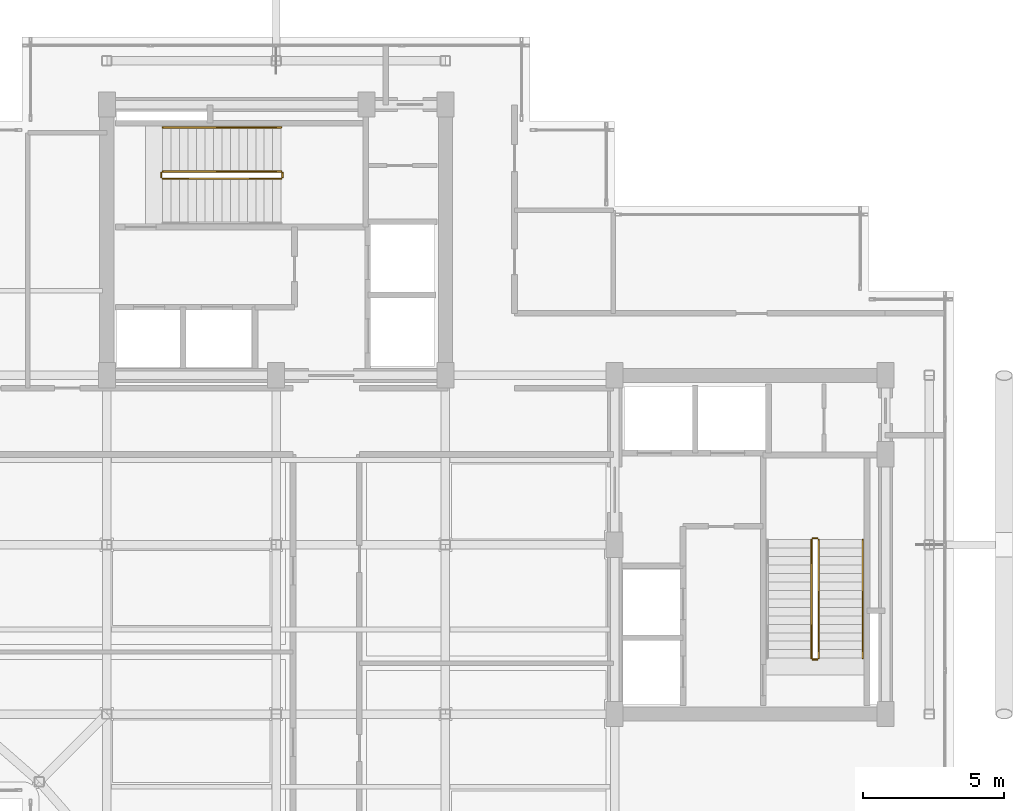
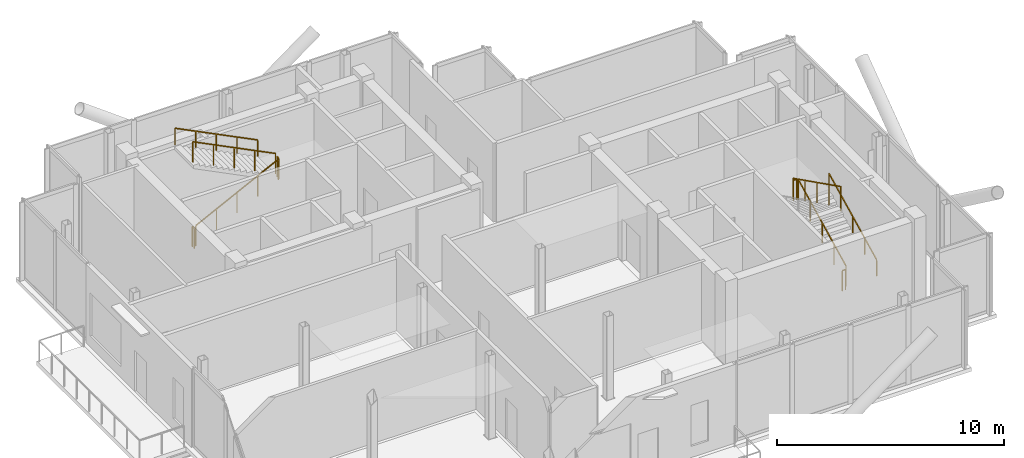
# One storey, part 16 of 16: 10 railings.
"""IFC4 building model written with IfcOpenShell, lengths in metres."""

from ifc_helpers import new_model, si_unit, direction, frame, origin, origin_2d, place, context, subcontext, project, spatial, rectangle, extrude, material, type_object, element, save


model = new_model("IFC4")

# Units and contexts
model_context = context("Model", 3, precision=1e-05, world=origin(), true_north=direction((0.0, 1.0)))
body_context = subcontext(model_context, "Body", "Model", "MODEL_VIEW")
ifc_project = project(units=[si_unit("LENGTHUNIT", "METRE"), si_unit("AREAUNIT", "SQUARE_METRE"), si_unit("VOLUMEUNIT", "CUBIC_METRE"), si_unit("PLANEANGLEUNIT", "RADIAN"), si_unit("MASSUNIT", "GRAM", prefix="KILO"), si_unit("THERMODYNAMICTEMPERATUREUNIT", "KELVIN"), si_unit("POWERUNIT", "WATT")], contexts=[model_context])

# Site, building, storey
site_placement = place(None, origin())
site = spatial("IfcSite", under=ifc_project, at=site_placement, CompositionType="ELEMENT")
building_placement = place(site_placement, origin())
building = spatial("IfcBuilding", under=site, at=building_placement, Name="Svarakhadi Broadcast Tower", CompositionType="ELEMENT")
storey_placement = place(building_placement, frame((0.0, 0.0, 296.39990234375)))
storey = spatial("IfcBuildingStorey", under=building, at=storey_placement, Name="L75", CompositionType="ELEMENT", Elevation=296.39990234375)

# Railings
ifc_material = material(Name="Anodised Bronze Aluminium AA 6063-T6", Category="aluminium")
railing_type_1 = type_object("IfcRailingType", Name="Guard_Stair_GR01", PredefinedType="GUARDRAIL", material=ifc_material)
railing_1_placement = place(storey_placement, frame((7.97998046875, 24.969970703125, 0.150146484375)))
element("IfcRailing", 1, at=railing_1_placement, inside=storey, type_object=railing_type_1, Name="L75 ST-01 stair guard 1", PredefinedType="GUARDRAIL", context=body_context, shape_type="SweptSolid", body=[
    extrude(rectangle(XDim=0.048095703125, YDim=0.048095703125, at=origin_2d()), frame((0.0, 0.0, 1.09619140625), z_axis=(0.894437589381, 0.0, 0.447192798132), x_axis=(0.0, 1.0, 0.0)), (0.0, 0.0, 1.0), 4.695556640625),
    extrude(rectangle(XDim=0.0419921875, YDim=0.0419921875, at=origin_2d()), origin(), (0.0, 0.0, 1.0), 1.072021484375),
    extrude(rectangle(XDim=0.0419921875, YDim=0.0419921875, at=origin_2d()), frame((1.050048828125, 0.0, 0.52490234375)), (0.0, 0.0, 1.0), 1.072021484375),
    extrude(rectangle(XDim=0.0419921875, YDim=0.0419921875, at=origin_2d()), frame((2.10009765625, 0.0, 1.0498046875)), (0.0, 0.0, 1.0), 1.072021484375),
    extrude(rectangle(XDim=0.0419921875, YDim=0.0419921875, at=origin_2d()), frame((3.14990234375, 0.0, 1.574951171875)), (0.0, 0.0, 1.0), 1.072021484375),
    extrude(rectangle(XDim=0.0419921875, YDim=0.0419921875, at=origin_2d()), frame((4.199951171875, 0.0, 2.099853515625)), (0.0, 0.0, 1.0), 1.072021484375),
])
railing_2_placement = place(storey_placement, frame((12.22998046875, 25.02001953125, 2.25)))
element("IfcRailing", 2, at=railing_2_placement, inside=storey, type_object=railing_type_1, Name="L75 ST-01 stair guard 2", PredefinedType="GUARDRAIL", context=body_context, shape_type="SweptSolid", body=[
    extrude(rectangle(XDim=0.048095703125, YDim=0.048095703125, at=origin_2d()), frame((0.0, 0.0, 1.09619140625), z_axis=(0.0, 1.0, 0.0), x_axis=(-1.0, 0.0, 0.0)), (0.0, 0.0, 1.0), 0.159912109375),
    extrude(rectangle(XDim=0.0419921875, YDim=0.0419921875, at=origin_2d()), origin(), (0.0, 0.0, 1.0), 1.072021484375),
    extrude(rectangle(XDim=0.0419921875, YDim=0.0419921875, at=origin_2d()), frame((0.0, 0.159912109375, 0.0)), (0.0, 0.0, 1.0), 1.072021484375),
])
railing_3_placement = place(storey_placement, frame((12.179931640625, 25.22998046875, 2.400146484375)))
element("IfcRailing", 3, at=railing_3_placement, inside=storey, type_object=railing_type_1, Name="L75 ST-01 stair guard 3", PredefinedType="GUARDRAIL", context=body_context, shape_type="SweptSolid", body=[
    extrude(rectangle(XDim=0.048095703125, YDim=0.048095703125, at=origin_2d()), frame((0.0, 0.0, 1.09619140625), z_axis=(-0.894437589381, 0.0, 0.447192798132), x_axis=(0.0, -1.0, 0.0)), (0.0, 0.0, 1.0), 4.695556640625),
    extrude(rectangle(XDim=0.0419921875, YDim=0.0419921875, at=origin_2d()), origin(), (0.0, 0.0, 1.0), 1.072021484375),
    extrude(rectangle(XDim=0.0419921875, YDim=0.0419921875, at=origin_2d()), frame((-1.050048828125, 0.0, 0.52490234375)), (0.0, 0.0, 1.0), 1.072021484375),
    extrude(rectangle(XDim=0.0419921875, YDim=0.0419921875, at=origin_2d()), frame((-2.10009765625, 0.0, 1.0498046875)), (0.0, 0.0, 1.0), 1.072021484375),
    extrude(rectangle(XDim=0.0419921875, YDim=0.0419921875, at=origin_2d()), frame((-3.14990234375, 0.0, 1.574951171875)), (0.0, 0.0, 1.0), 1.072021484375),
    extrude(rectangle(XDim=0.0419921875, YDim=0.0419921875, at=origin_2d()), frame((-4.199951171875, 0.0, 2.099853515625)), (0.0, 0.0, 1.0), 1.072021484375),
])
railing_4_placement = place(storey_placement, frame((7.929931640625, 25.02001953125, 0.0)))
element("IfcRailing", 4, at=railing_4_placement, inside=storey, type_object=railing_type_1, Name="L75 ST-01 stair guard 4", PredefinedType="GUARDRAIL", context=body_context, shape_type="SweptSolid", body=[
    extrude(rectangle(XDim=0.048095703125, YDim=0.048095703125, at=origin_2d()), frame((0.0, 0.0, 1.09619140625), z_axis=(0.0, 1.0, 0.0), x_axis=(-1.0, 0.0, 0.0)), (0.0, 0.0, 1.0), 0.159912109375),
    extrude(rectangle(XDim=0.0419921875, YDim=0.0419921875, at=origin_2d()), origin(), (0.0, 0.0, 1.0), 1.072021484375),
    extrude(rectangle(XDim=0.0419921875, YDim=0.0419921875, at=origin_2d()), frame((0.0, 0.159912109375, 0.0)), (0.0, 0.0, 1.0), 1.072021484375),
])
railing_5_placement = place(storey_placement, frame((31.22998046875, 7.97998046875, 0.150146484375)))
element("IfcRailing", 5, at=railing_5_placement, inside=storey, type_object=railing_type_1, Name="L75 ST-02 stair guard 1", PredefinedType="GUARDRAIL", context=body_context, shape_type="SweptSolid", body=[
    extrude(rectangle(XDim=0.048095703125, YDim=0.048095703125, at=origin_2d()), frame((0.0, 0.0, 1.09619140625), z_axis=(0.0, 0.894437589381, 0.447192798132), x_axis=(-1.0, 0.0, 0.0)), (0.0, 0.0, 1.0), 4.695556640625),
    extrude(rectangle(XDim=0.0419921875, YDim=0.0419921875, at=origin_2d()), origin(), (0.0, 0.0, 1.0), 1.072021484375),
    extrude(rectangle(XDim=0.0419921875, YDim=0.0419921875, at=origin_2d()), frame((0.0, 1.050048828125, 0.52490234375)), (0.0, 0.0, 1.0), 1.072021484375),
    extrude(rectangle(XDim=0.0419921875, YDim=0.0419921875, at=origin_2d()), frame((0.0, 2.10009765625, 1.0498046875)), (0.0, 0.0, 1.0), 1.072021484375),
    extrude(rectangle(XDim=0.0419921875, YDim=0.0419921875, at=origin_2d()), frame((0.0, 3.14990234375, 1.574951171875)), (0.0, 0.0, 1.0), 1.072021484375),
    extrude(rectangle(XDim=0.0419921875, YDim=0.0419921875, at=origin_2d()), frame((0.0, 4.199951171875, 2.099853515625)), (0.0, 0.0, 1.0), 1.072021484375),
])
railing_6_placement = place(storey_placement, frame((31.179931640625, 12.22998046875, 2.25)))
element("IfcRailing", 6, at=railing_6_placement, inside=storey, type_object=railing_type_1, Name="L75 ST-02 stair guard 2", PredefinedType="GUARDRAIL", context=body_context, shape_type="SweptSolid", body=[
    extrude(rectangle(XDim=0.048095703125, YDim=0.048095703125, at=origin_2d()), frame((0.0, 0.0, 1.09619140625), z_axis=(-1.0, 0.0, 0.0), x_axis=(0.0, -1.0, 0.0)), (0.0, 0.0, 1.0), 0.159912109375),
    extrude(rectangle(XDim=0.0419921875, YDim=0.0419921875, at=origin_2d()), origin(), (0.0, 0.0, 1.0), 1.072021484375),
    extrude(rectangle(XDim=0.0419921875, YDim=0.0419921875, at=origin_2d()), frame((-0.159912109375, 0.0, 0.0)), (0.0, 0.0, 1.0), 1.072021484375),
])
railing_7_placement = place(storey_placement, frame((30.969970703125, 12.179931640625, 2.400146484375)))
element("IfcRailing", 7, at=railing_7_placement, inside=storey, type_object=railing_type_1, Name="L75 ST-02 stair guard 3", PredefinedType="GUARDRAIL", context=body_context, shape_type="SweptSolid", body=[
    extrude(rectangle(XDim=0.048095703125, YDim=0.048095703125, at=origin_2d()), frame((0.0, 0.0, 1.09619140625), z_axis=(0.0, -0.894437589381, 0.447192798132), x_axis=(1.0, 0.0, 0.0)), (0.0, 0.0, 1.0), 4.695556640625),
    extrude(rectangle(XDim=0.0419921875, YDim=0.0419921875, at=origin_2d()), origin(), (0.0, 0.0, 1.0), 1.072021484375),
    extrude(rectangle(XDim=0.0419921875, YDim=0.0419921875, at=origin_2d()), frame((0.0, -1.050048828125, 0.52490234375)), (0.0, 0.0, 1.0), 1.072021484375),
    extrude(rectangle(XDim=0.0419921875, YDim=0.0419921875, at=origin_2d()), frame((0.0, -2.10009765625, 1.0498046875)), (0.0, 0.0, 1.0), 1.072021484375),
    extrude(rectangle(XDim=0.0419921875, YDim=0.0419921875, at=origin_2d()), frame((0.0, -3.14990234375, 1.574951171875)), (0.0, 0.0, 1.0), 1.072021484375),
    extrude(rectangle(XDim=0.0419921875, YDim=0.0419921875, at=origin_2d()), frame((0.0, -4.199951171875, 2.099853515625)), (0.0, 0.0, 1.0), 1.072021484375),
])
railing_8_placement = place(storey_placement, frame((31.179931640625, 7.929931640625, 0.0)))
element("IfcRailing", 8, at=railing_8_placement, inside=storey, type_object=railing_type_1, Name="L75 ST-02 stair guard 4", PredefinedType="GUARDRAIL", context=body_context, shape_type="SweptSolid", body=[
    extrude(rectangle(XDim=0.048095703125, YDim=0.048095703125, at=origin_2d()), frame((0.0, 0.0, 1.09619140625), z_axis=(-1.0, 0.0, 0.0), x_axis=(0.0, -1.0, 0.0)), (0.0, 0.0, 1.0), 0.159912109375),
    extrude(rectangle(XDim=0.0419921875, YDim=0.0419921875, at=origin_2d()), origin(), (0.0, 0.0, 1.0), 1.072021484375),
    extrude(rectangle(XDim=0.0419921875, YDim=0.0419921875, at=origin_2d()), frame((-0.159912109375, 0.0, 0.0)), (0.0, 0.0, 1.0), 1.072021484375),
])
railing_type_2 = type_object("IfcRailingType", Name="Handrail_Stair_HR01", PredefinedType="HANDRAIL", material=ifc_material)
railing_9_placement = place(storey_placement, frame((12.179931640625, 26.7900390625, 2.400146484375)))
element("IfcRailing", 9, at=railing_9_placement, inside=storey, type_object=railing_type_2, Name="L75 ST-01 stair handrail 2", PredefinedType="HANDRAIL", context=body_context, shape_type="SweptSolid", body=[
    extrude(rectangle(XDim=0.048095703125, YDim=0.048095703125, at=origin_2d()), frame((0.0, 0.0, 0.8759765625), z_axis=(-0.894437589381, 0.0, 0.447192798132), x_axis=(0.0, -1.0, 0.0)), (0.0, 0.0, 1.0), 4.695556640625),
    extrude(rectangle(XDim=0.0419921875, YDim=0.0419921875, at=origin_2d()), origin(), (0.0, 0.0, 1.0), 0.851806640625),
    extrude(rectangle(XDim=0.0419921875, YDim=0.0419921875, at=origin_2d()), frame((-1.050048828125, 0.0, 0.52490234375)), (0.0, 0.0, 1.0), 0.851806640625),
    extrude(rectangle(XDim=0.0419921875, YDim=0.0419921875, at=origin_2d()), frame((-2.10009765625, 0.0, 1.0498046875)), (0.0, 0.0, 1.0), 0.851806640625),
    extrude(rectangle(XDim=0.0419921875, YDim=0.0419921875, at=origin_2d()), frame((-3.14990234375, 0.0, 1.574951171875)), (0.0, 0.0, 1.0), 0.851806640625),
    extrude(rectangle(XDim=0.0419921875, YDim=0.0419921875, at=origin_2d()), frame((-4.199951171875, 0.0, 2.099853515625)), (0.0, 0.0, 1.0), 0.851806640625),
])
railing_10_placement = place(storey_placement, frame((32.7900390625, 7.97998046875, 0.150146484375)))
element("IfcRailing", 10, at=railing_10_placement, inside=storey, type_object=railing_type_2, Name="L75 ST-02 stair handrail 1", PredefinedType="HANDRAIL", context=body_context, shape_type="SweptSolid", body=[
    extrude(rectangle(XDim=0.048095703125, YDim=0.048095703125, at=origin_2d()), frame((0.0, 0.0, 0.8759765625), z_axis=(0.0, 0.894437589381, 0.447192798132), x_axis=(-1.0, 0.0, 0.0)), (0.0, 0.0, 1.0), 4.695556640625),
    extrude(rectangle(XDim=0.0419921875, YDim=0.0419921875, at=origin_2d()), origin(), (0.0, 0.0, 1.0), 0.851806640625),
    extrude(rectangle(XDim=0.0419921875, YDim=0.0419921875, at=origin_2d()), frame((0.0, 1.050048828125, 0.52490234375)), (0.0, 0.0, 1.0), 0.851806640625),
    extrude(rectangle(XDim=0.0419921875, YDim=0.0419921875, at=origin_2d()), frame((0.0, 2.10009765625, 1.0498046875)), (0.0, 0.0, 1.0), 0.851806640625),
    extrude(rectangle(XDim=0.0419921875, YDim=0.0419921875, at=origin_2d()), frame((0.0, 3.14990234375, 1.574951171875)), (0.0, 0.0, 1.0), 0.851806640625),
    extrude(rectangle(XDim=0.0419921875, YDim=0.0419921875, at=origin_2d()), frame((0.0, 4.199951171875, 2.099853515625)), (0.0, 0.0, 1.0), 0.851806640625),
])

save(model, "model.ifc")
